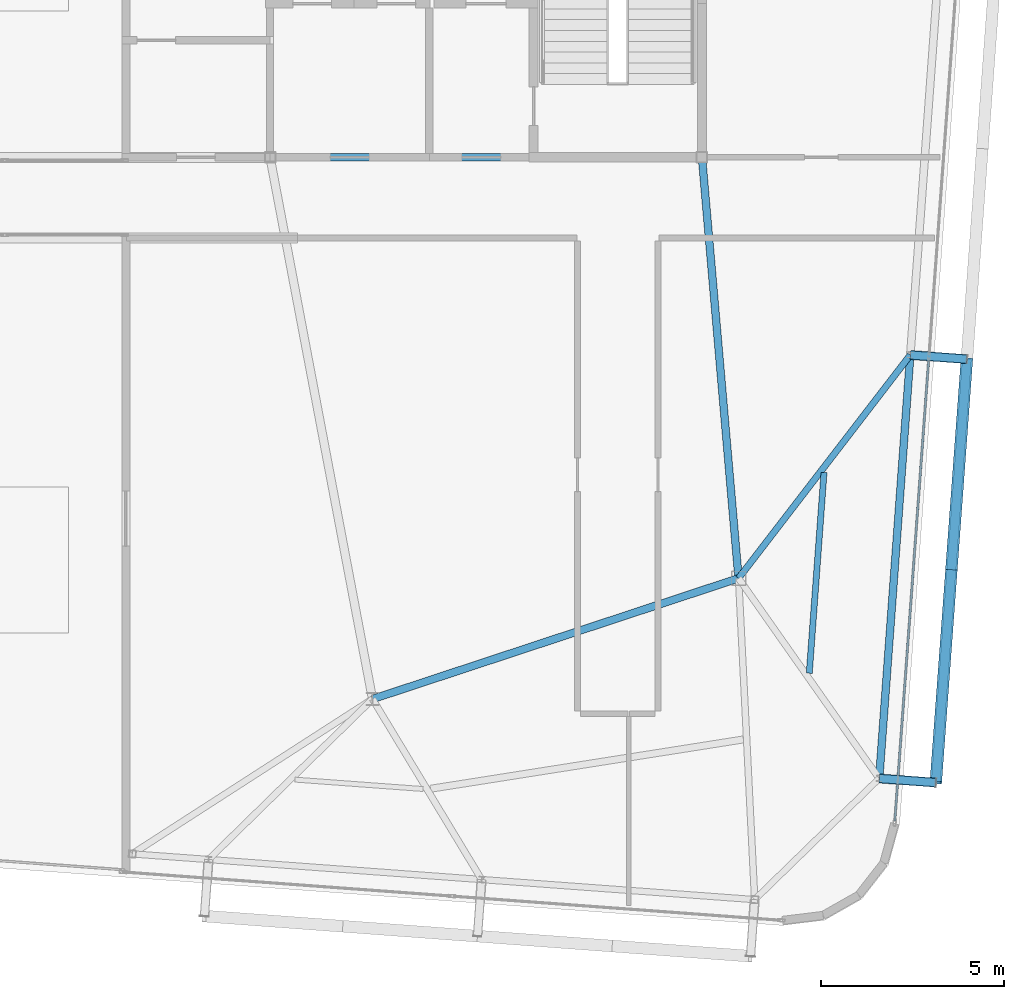
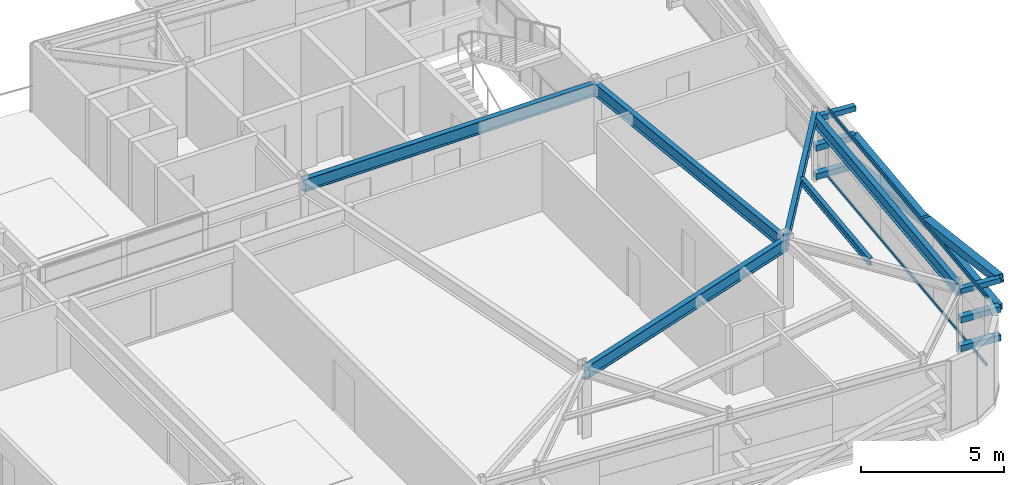
# One storey, part 17 of 36: 11 members, 6 beams, 1 element without a shape of its own.
"""IFC4 building model written with IfcOpenShell, lengths in metres."""

from ifc_helpers import new_model, si_unit, direction, frame, origin, origin_2d, place, context, subcontext, project, spatial, hollow_rectangle, i_section, extrude, source, transform, mapped, material, layer, layer_set, material_profile, profile_set, type_object, element, aggregate, save


model = new_model("IFC4")

# Units and contexts
model_context = context("Model", 3, precision=1e-05, world=origin(), true_north=direction((0.0, 1.0)))
body_context = subcontext(model_context, "Body", "Model", "MODEL_VIEW")
ifc_project = project(units=[si_unit("LENGTHUNIT", "METRE"), si_unit("AREAUNIT", "SQUARE_METRE"), si_unit("VOLUMEUNIT", "CUBIC_METRE"), si_unit("PLANEANGLEUNIT", "RADIAN"), si_unit("MASSUNIT", "GRAM", prefix="KILO")], contexts=[model_context])

# Site, building, storey
site_placement = place(None, origin())
site = spatial("IfcSite", under=ifc_project, at=site_placement, CompositionType="ELEMENT")
building_placement = place(site_placement, origin())
building = spatial("IfcBuilding", under=site, at=building_placement, Name="Taldren Reach Tower", CompositionType="ELEMENT")
storey_placement = place(building_placement, frame((0.0, 0.0, 227.14990234375)))
storey = spatial("IfcBuildingStorey", under=building, at=storey_placement, Name="L69", CompositionType="ELEMENT", Elevation=227.14990234375)

# Beams
ifc_material_1 = material(Name="Steel Gr 350 (350PLUS)", Category="steel")
ifc_material_profile_1 = material_profile(ifc_material_1, i_section(OverallWidth=0.208984375, OverallDepth=0.532958984375, WebThickness=0.01025390625, FlangeThickness=0.015625, at=origin_2d()), Name="530UB92.4")
ifc_profile_set_1 = profile_set([ifc_material_profile_1], Name="Steel Gr 350 (350PLUS)")
beam_type_1 = type_object("IfcBeamType", Name="BM-UB530A", PredefinedType="BEAM", material=ifc_profile_set_1)
shared_shape_1 = source(origin(), body_context, "Body", "SweptSolid", [
    extrude(i_section(OverallWidth=0.208984375, OverallDepth=0.532958984375, WebThickness=0.01025390625, FlangeThickness=0.015625, at=origin_2d()), origin(), (0.0, 0.0, 1.0), 11.800048828125),
])
beam_1_placement = place(storey_placement, frame((39.199951171875, 24.0, 2.66357421875), z_axis=(1.0, 0.0, 0.0), x_axis=(0.0, 1.0, 0.0)))
element("IfcBeam", 1, at=beam_1_placement, inside=storey, type_object=beam_type_1, Name="Core-spine girder L69-SP03", PredefinedType="BEAM", context=body_context, shape_type="MappedRepresentation", body=[
    mapped(shared_shape_1, transform((0.0, 0.0, 0.0), scale=1.0)),
])
shared_shape_2 = source(origin(), body_context, "Body", "SweptSolid", [
    extrude(i_section(OverallWidth=0.208984375, OverallDepth=0.532958984375, WebThickness=0.01025390625, FlangeThickness=0.015625, at=origin_2d()), origin(), (0.0, 0.0, 1.0), 11.54345703125),
])
beam_2_placement = place(storey_placement, frame((52.0, 12.5, 2.66357421875), z_axis=(-0.086629616365, 0.996240588196, 0.0), x_axis=(-0.996240588196, -0.086629616365, 0.0)))
element("IfcBeam", 2, at=beam_2_placement, inside=storey, type_object=beam_type_1, Name="Core-spine girder L69-SP13", PredefinedType="BEAM", context=body_context, shape_type="MappedRepresentation", body=[
    mapped(shared_shape_2, transform((0.0, 0.0, 0.0), scale=1.0)),
])
shared_shape_3 = source(origin(), body_context, "Body", "SweptSolid", [
    extrude(i_section(OverallWidth=0.208984375, OverallDepth=0.532958984375, WebThickness=0.01025390625, FlangeThickness=0.015625, at=origin_2d()), origin(), (0.0, 0.0, 1.0), 10.530517578125),
])
beam_3_placement = place(storey_placement, frame((42.0, 9.199951171875, 2.66357421875), z_axis=(0.949627269203, 0.313381635689, 0.0), x_axis=(-0.313381635689, 0.949627269203, 0.0)))
element("IfcBeam", 3, at=beam_3_placement, inside=storey, type_object=beam_type_1, Name="Core-spine girder L69-SP12", PredefinedType="BEAM", context=body_context, shape_type="MappedRepresentation", body=[
    mapped(shared_shape_3, transform((0.0, 0.0, 0.0), scale=1.0)),
])
ifc_material_profile_2 = material_profile(ifc_material_1, i_section(OverallWidth=0.208984375, OverallDepth=0.528076171875, WebThickness=0.009521484375, FlangeThickness=0.01318359375, at=origin_2d()), Name="530UB82.0")
ifc_profile_set_2 = profile_set([ifc_material_profile_2], Name="Steel Gr 350 (350PLUS)")
beam_type_2 = type_object("IfcBeamType", Name="SP-UB530B", PredefinedType="SPANDREL", material=ifc_profile_set_2)
shared_shape_4 = source(origin(), body_context, "Body", "SweptSolid", [
    extrude(i_section(OverallWidth=0.208984375, OverallDepth=0.528076171875, WebThickness=0.009521484375, FlangeThickness=0.01318359375, at=origin_2d()), origin(), (0.0, 0.0, 1.0), 11.60009765625),
])
beam_4_placement = place(storey_placement, frame((55.841796875, 7.031005859375, 2.666015625), z_axis=(0.073242167855, 0.997314185625, 0.0), x_axis=(-0.997314185625, 0.073242167855, 0.0)))
element("IfcBeam", 4, at=beam_4_placement, inside=storey, type_object=beam_type_2, Name="Perimeter spandrel B5 E1-E2 L69", PredefinedType="SPANDREL", context=body_context, shape_type="MappedRepresentation", body=[
    mapped(shared_shape_4, transform((0.0, 0.0, 0.0), scale=1.0)),
])
ifc_material_profile_3 = material_profile(ifc_material_1, i_section(OverallWidth=0.177978515625, OverallDepth=0.406005859375, WebThickness=0.0078125, FlangeThickness=0.0126953125, at=origin_2d()), Name="410UB59.7")
ifc_profile_set_3 = profile_set([ifc_material_profile_3], Name="Steel Gr 350 (350PLUS)")
beam_type_3 = type_object("IfcBeamType", Name="BM-UB410", PredefinedType="BEAM", material=ifc_profile_set_3)
shared_shape_5 = source(origin(), body_context, "Body", "SweptSolid", [
    extrude(i_section(OverallWidth=0.177978515625, OverallDepth=0.406005859375, WebThickness=0.0078125, FlangeThickness=0.0126953125, at=origin_2d()), origin(), (0.0, 0.0, 1.0), 7.6953125),
])
beam_5_placement = place(storey_placement, frame((52.0, 12.5, 2.72705078125), z_axis=(0.609646363361, 0.792673521471, 0.0), x_axis=(-0.792673521471, 0.609646363361, 0.0)))
element("IfcBeam", 5, at=beam_5_placement, inside=storey, type_object=beam_type_3, Name="Primary floor girder B5-E2 L69", PredefinedType="BEAM", context=body_context, shape_type="MappedRepresentation", body=[
    mapped(shared_shape_5, transform((0.0, 0.0, 0.0), scale=1.0)),
])
ifc_material_2 = material(Name="Steel Gr 300 (300PLUS, 300 MPa)", Category="steel")
ifc_material_profile_4 = material_profile(ifc_material_2, i_section(OverallWidth=0.166015625, OverallDepth=0.306884765625, WebThickness=0.006591796875, FlangeThickness=0.01171875, at=origin_2d()), Name="310UB46.2")
ifc_profile_set_4 = profile_set([ifc_material_profile_4], Name="Steel Gr 300 (300PLUS, 300 MPa)")
beam_type_4 = type_object("IfcBeamType", Name="JS-UB310", PredefinedType="JOIST", material=ifc_profile_set_4)
shared_shape_6 = source(origin(), body_context, "Body", "SweptSolid", [
    extrude(i_section(OverallWidth=0.166015625, OverallDepth=0.306884765625, WebThickness=0.006591796875, FlangeThickness=0.01171875, at=origin_2d()), origin(), (0.0, 0.0, 1.0), 5.49755859375),
])
beam_6_placement = place(storey_placement, frame((53.93115234375, 9.905517578125, 2.776611328125), z_axis=(0.073228814191, 0.99731516622, 0.0), x_axis=(-0.99731516622, 0.073228814191, 0.0)))
element("IfcBeam", 6, at=beam_6_placement, inside=storey, type_object=beam_type_4, Name="Secondary floor joist B5 J7 L69", PredefinedType="JOIST", context=body_context, shape_type="MappedRepresentation", body=[
    mapped(shared_shape_6, transform((0.0, 0.0, 0.0), scale=1.0)),
])

# Members
ifc_material_3 = material(Name="Steel Gr 450 (C450L0)", Category="steel")
ifc_material_profile_5 = material_profile(ifc_material_3, hollow_rectangle(XDim=0.219970703125, YDim=0.219970703125, WallThickness=0.00830078125, at=origin_2d()), Name="220x220x8.2SHS")
ifc_profile_set_5 = profile_set([ifc_material_profile_5], Name="Steel Gr 450 (C450L0)")
member_type_1 = type_object("IfcMemberType", Name="MB-TIE219", PredefinedType="STRUT", material=ifc_profile_set_5)
shared_shape_7 = source(origin(), body_context, "Body", "SweptSolid", [
    extrude(hollow_rectangle(XDim=0.219970703125, YDim=0.219970703125, WallThickness=0.00830078125, at=origin_2d()), origin(), (0.0, 0.0, 1.0), 1.5458984375),
])
member_1_placement = place(storey_placement, frame((56.6953125, 18.599365234375, 2.650146484375), z_axis=(0.99732305975, -0.073121231459, 0.0), x_axis=(0.073121231459, 0.99732305975, 0.0)))
element("IfcMember", 7, at=member_1_placement, inside=storey, type_object=member_type_1, Name="Exoskeleton diaphragm tie strut B5-E2 L69", PredefinedType="STRUT", context=body_context, shape_type="MappedRepresentation", body=[
    mapped(shared_shape_7, transform((0.0, 0.0, 0.0), scale=1.0)),
])
shared_shape_8 = source(origin(), body_context, "Body", "SweptSolid", [
    extrude(hollow_rectangle(XDim=0.219970703125, YDim=0.219970703125, WallThickness=0.00830078125, at=origin_2d()), origin(), (0.0, 0.0, 1.0), 1.546142578125),
])
member_2_placement = place(storey_placement, frame((55.845703125, 7.030517578125, 2.650146484375), z_axis=(0.997323903953, -0.073109716202, 0.0), x_axis=(0.073109716202, 0.997323903953, 0.0)))
element("IfcMember", 8, at=member_2_placement, inside=storey, type_object=member_type_1, Name="Exoskeleton diaphragm tie strut B5-E1 L69", PredefinedType="STRUT", context=body_context, shape_type="MappedRepresentation", body=[
    mapped(shared_shape_8, transform((0.0, 0.0, 0.0), scale=1.0)),
])
ifc_material_profile_6 = material_profile(ifc_material_3, hollow_rectangle(XDim=0.324951171875, YDim=0.324951171875, WallThickness=0.0126953125, at=origin_2d()), Name="325x325x12.7SHS")
ifc_profile_set_6 = profile_set([ifc_material_profile_6], Name="Steel Gr 450 (C450L0)")
member_type_2 = type_object("IfcMemberType", Name="MB-BR324", PredefinedType="BRACE", material=ifc_profile_set_6)
shared_shape_9 = source(origin(), body_context, "Body", "SweptSolid", [
    extrude(hollow_rectangle(XDim=0.324951171875, YDim=0.324951171875, WallThickness=0.0126953125, at=origin_2d()), origin(), (0.0, 0.0, 1.0), 5.92578125),
])
for number, where, z_axis, x_axis, name in (
    (9, (58.237060546875, 18.486328125, 0.22021484375), (-0.071686540919, -0.976131732187, 0.205007027365), (0.997314185625, -0.073242167855, 0.0), "Exoskeleton Diagrid Brace B5-E1 L69"),
    (10, (57.812255859375, 12.701904296875, 1.43505859375), (-0.071644948114, -0.976126368983, 0.205047099921), (0.997317259472, -0.073200300267, 0.0), "Exoskeleton Diagrid Brace B5-E1 L69"),
):
    element("IfcMember", number, at=place(storey_placement, frame(where, z_axis=z_axis, x_axis=x_axis)), inside=storey, type_object=member_type_2, Name=name, PredefinedType="BRACE", context=body_context, shape_type="MappedRepresentation", body=[
        mapped(shared_shape_9, transform((0.0, 0.0, 0.0), scale=1.0)),
    ])
ifc_material_4 = material(Name="Steel Gr 350 (C350L0)", Category="steel")
ifc_material_profile_7 = material_profile(ifc_material_4, hollow_rectangle(XDim=0.25, YDim=0.25, WallThickness=0.010009765625, at=origin_2d()), Name="250x250x10.0SHS")
ifc_profile_set_7 = profile_set([ifc_material_profile_7], Name="Steel Gr 350 (C350L0)")
member_type_3 = type_object("IfcMemberType", Name="MB-POST250", PredefinedType="POST", material=ifc_profile_set_7)
shared_shape_10 = source(origin(), body_context, "Body", "SweptSolid", [
    extrude(hollow_rectangle(XDim=0.25, YDim=0.25, WallThickness=0.010009765625, at=origin_2d()), origin(), (0.0, 0.0, 1.0), 11.60009765625),
])
member_3_placement = place(storey_placement, frame((57.3876953125, 6.91748046875, 1.43505859375), z_axis=(0.073221234109, 0.997315722766, 0.0), x_axis=(-0.997315722766, 0.073221234109, 0.0)))
element("IfcMember", 11, at=member_3_placement, inside=storey, type_object=member_type_3, Name="Exoskeleton mid-height ring chord B5-E1 L69", PredefinedType="POST", context=body_context, shape_type="MappedRepresentation", body=[
    mapped(shared_shape_10, transform((0.0, 0.0, 0.0), scale=1.0)),
])
shared_shape_11 = source(origin(), body_context, "Body", "SweptSolid", [
    extrude(hollow_rectangle(XDim=0.25, YDim=0.25, WallThickness=0.010009765625, at=origin_2d()), origin(), (0.0, 0.0, 1.0), 1.5458984375),
])
for number, where, z_axis, x_axis, name in (
    (12, (56.6953125, 18.599365234375, 0.22021484375), (0.99732305975, -0.073121231459, 0.0), (0.073121231459, 0.99732305975, 0.0), "Exoskeleton base diaphragm tie strut B5-E2 L69"),
    (13, (56.6953125, 18.599365234375, 1.43505859375), (0.99732305975, -0.073121231459, 0.0), (0.073121231459, 0.99732305975, 0.0), "Exoskeleton mid-tier diaphragm tie B5-E2 L69"),
):
    element("IfcMember", number, at=place(storey_placement, frame(where, z_axis=z_axis, x_axis=x_axis)), inside=storey, type_object=member_type_3, Name=name, PredefinedType="POST", context=body_context, shape_type="MappedRepresentation", body=[
        mapped(shared_shape_11, transform((0.0, 0.0, 0.0), scale=1.0)),
    ])
shared_shape_12 = source(origin(), body_context, "Body", "SweptSolid", [
    extrude(hollow_rectangle(XDim=0.25, YDim=0.25, WallThickness=0.010009765625, at=origin_2d()), origin(), (0.0, 0.0, 1.0), 1.546142578125),
])
for number, where, z_axis, x_axis, name in (
    (14, (55.845703125, 7.030517578125, 0.22021484375), (0.997323903953, -0.073109716202, 0.0), (0.073109716202, 0.997323903953, 0.0), "Exoskeleton base diaphragm tie strut B5-E1 L69"),
    (15, (55.845703125, 7.030517578125, 1.43505859375), (0.997323903953, -0.073109716202, 0.0), (0.073109716202, 0.997323903953, 0.0), "Exoskeleton mid-tier diaphragm tie B5-E1 L69"),
):
    element("IfcMember", number, at=place(storey_placement, frame(where, z_axis=z_axis, x_axis=x_axis)), inside=storey, type_object=member_type_3, Name=name, PredefinedType="POST", context=body_context, shape_type="MappedRepresentation", body=[
        mapped(shared_shape_12, transform((0.0, 0.0, 0.0), scale=1.0)),
    ])

# Curtain wall, members
ifc_material_5 = material(Name="Aluminium and Low-E Glass Unitised System", Category="aluminium")
ifc_layer = layer(ifc_material_5, 0.159912109375)
ifc_layer_set = layer_set([ifc_layer], Name="Aluminium and Low-E Glass Unitised System")
curtain_wall_type = type_object("IfcCurtainWallType", Name="CW-SYS-7", PredefinedType="NOTDEFINED", material=ifc_layer_set)
curtain_wall_placement = place(storey_placement, origin())
curtain_wall = element("IfcCurtainWall", 16, at=curtain_wall_placement, inside=storey, type_object=curtain_wall_type, Name="Unitised curtain wall CW-L69-E", PredefinedType="NOTDEFINED")
ifc_material_6 = material(Name="Anodised Aluminium 6063-T6", Category="aluminium")
ifc_material_profile_8 = material_profile(ifc_material_6, hollow_rectangle(XDim=0.06005859375, YDim=0.135009765625, WallThickness=0.00341796875, at=origin_2d()), Name="ALU-135x60x3.5RHS")
ifc_profile_set_8 = profile_set([ifc_material_profile_8], Name="Anodised Aluminium 6063-T6")
member_type_4 = type_object("IfcMemberType", Name="CW-TRN-150", PredefinedType="USERDEFINED", material=ifc_profile_set_8)
shared_shape_13 = source(origin(), body_context, "Body", "SweptSolid", [
    extrude(hollow_rectangle(XDim=0.06005859375, YDim=0.135009765625, WallThickness=0.00341796875, at=origin_2d()), origin(), (0.0, 0.0, 1.0), 12.6875),
])
member_4_placement = place(storey_placement, frame((56.26806640625, 5.87158203125, 0.030029296875), z_axis=(0.073237997916, 0.997314491854, 0.0), x_axis=(-0.997314491854, 0.073237997916, 0.0)))
member_4 = element("IfcMember", 17, at=member_4_placement, type_object=member_type_4, Name="CW-7 transom 1.1", ObjectType="TRANSOM", PredefinedType="USERDEFINED", context=body_context, shape_type="MappedRepresentation", body=[
    mapped(shared_shape_13, transform((0.0, 0.0, 0.0), scale=1.0)),
])
member_5_placement = place(storey_placement, frame((56.26806640625, 5.87158203125, 2.900146484375), z_axis=(0.073237997916, 0.997314491854, 0.0), x_axis=(-0.997314491854, 0.073237997916, 0.0)))
member_5 = element("IfcMember", 18, at=member_5_placement, type_object=member_type_4, Name="CW-7 transom 1.2", ObjectType="TRANSOM", PredefinedType="USERDEFINED", context=body_context, shape_type="MappedRepresentation", body=[
    mapped(shared_shape_13, transform((0.0, 0.0, 0.0), scale=1.0)),
])
aggregate(curtain_wall, [member_4, member_5])

save(model, "model.ifc")
